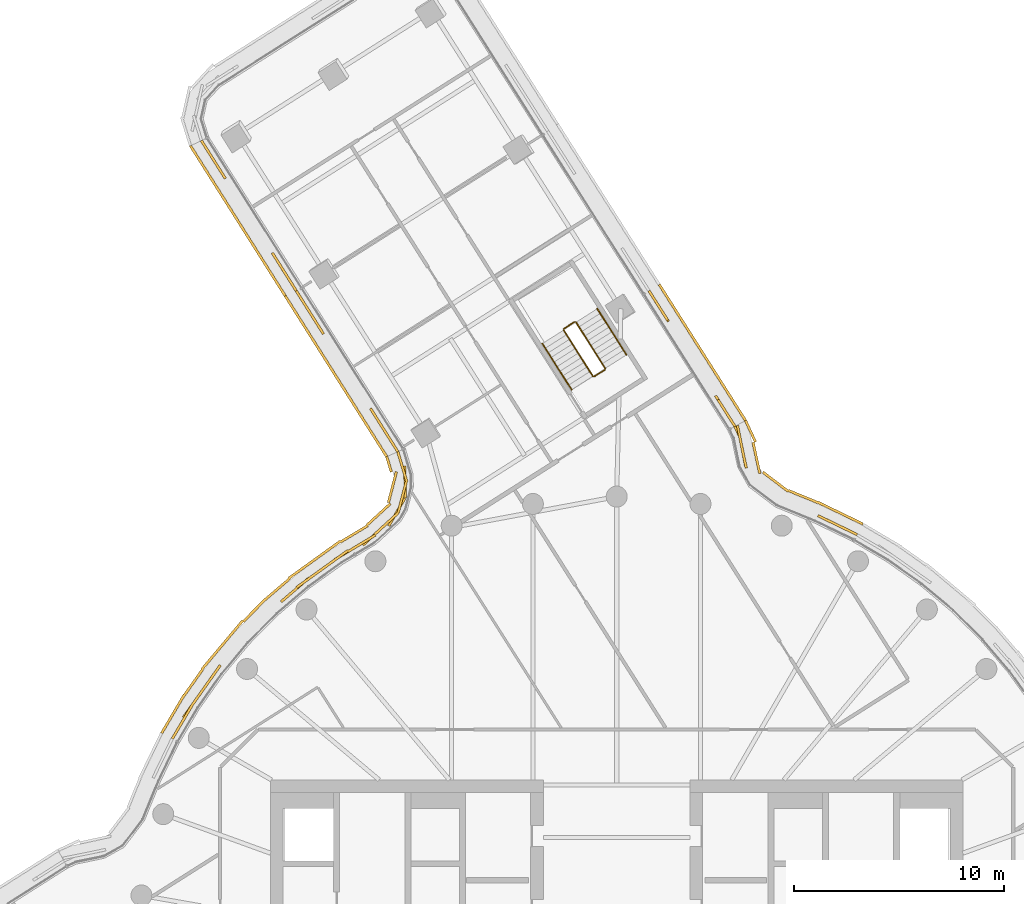
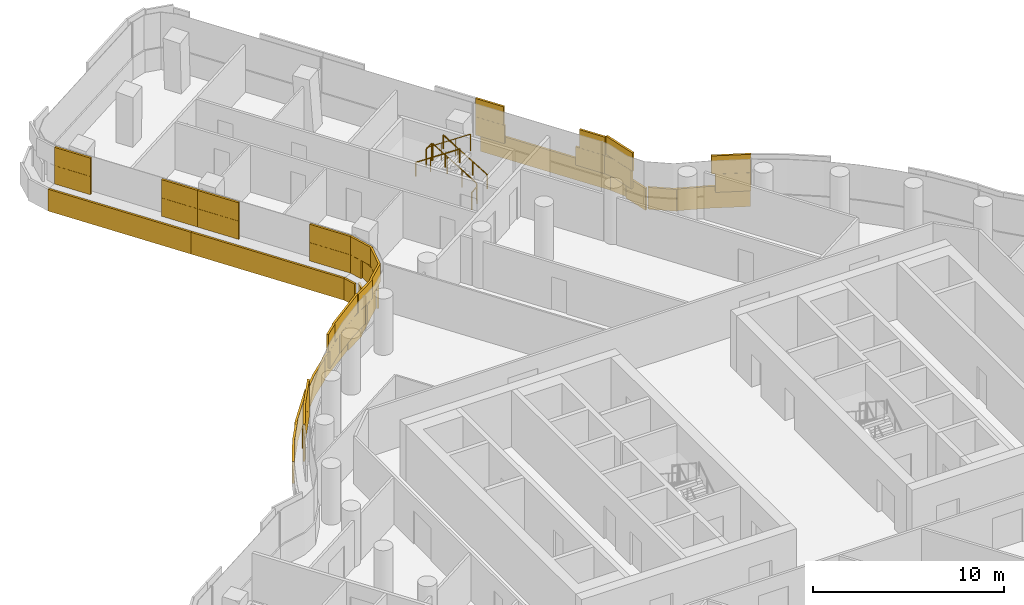
# One storey, part 35 of 36: 6 railings, 5 coverings.
"""IFC4 building model written with IfcOpenShell, lengths in metres."""

import ifcopenshell
import ifcopenshell.guid

model = None  # the IFC model being written
_history = None  # IfcOwnerHistory: only IFC2X3 demands one
_inside = {}  # id of a spatial element -> (the spatial element, [elements in it])
_under = {}  # id of a project, library or spatial element -> (it, [spatial elements below it])
_declared = {}  # id of a project -> (the project, [libraries it declares])
_typed = {}  # id of a type object -> (the type object, [elements of that type])
_made_of = {}  # id of a material, layer set ... -> (it, [elements and type objects made of it])


def new_model(schema):
    """Start an empty IFC model of exactly this schema.

    Asked for "IFC4X3", IfcOpenShell would pick the latest addendum, in which some entities
    have other attributes; the version numbers below select the first issue.
    IFC2X3 requires an IfcOwnerHistory on every rooted entity: one is made here for all.
    """
    global model, _history
    if schema == "IFC4X3":
        model = ifcopenshell.file(schema_version=(4, 3, 0, 0))
    else:
        model = ifcopenshell.file(schema=schema)
    _inside.clear()
    _under.clear()
    _declared.clear()
    _typed.clear()
    _made_of.clear()
    _history = None
    if model.schema == "IFC2X3":
        org = make("IfcOrganization", Name="unknown")
        user = make(
            "IfcPersonAndOrganization",
            ThePerson=make("IfcPerson", FamilyName="unknown"),
            TheOrganization=org,
        )
        app = make(
            "IfcApplication",
            ApplicationDeveloper=org,
            Version="unknown",
            ApplicationFullName="unknown",
            ApplicationIdentifier="unknown",
        )
        _history = make(
            "IfcOwnerHistory",
            OwningUser=user,
            OwningApplication=app,
            ChangeAction="ADDED",
            CreationDate=0,
        )
    return model


def make(cls, **values):
    """One entity of the class cls with the attributes given. An attribute that is None is left unset."""
    return model.create_entity(
        cls, **{name: value for name, value in values.items() if value is not None}
    )


def rooted(cls, **values):
    """An entity with a GlobalId (a new one), such as an element, a storey or a relation."""
    return make(cls, GlobalId=ifcopenshell.guid.new(), OwnerHistory=_history, **values)


def si_unit(unit_type, name, prefix=None):
    """IfcSIUnit, for example si_unit("LENGTHUNIT", "METRE", prefix="MILLI")."""
    return make("IfcSIUnit", UnitType=unit_type, Prefix=prefix, Name=name)


def assignment(units):
    """IfcUnitAssignment: the units of a project."""
    return None if units is None else make("IfcUnitAssignment", Units=units)


def point(xyz):
    """IfcCartesianPoint."""
    return None if xyz is None else make("IfcCartesianPoint", Coordinates=xyz)


def direction(xyz):
    """IfcDirection."""
    return None if xyz is None else make("IfcDirection", DirectionRatios=xyz)


def frame(location, z_axis=None, x_axis=None):
    """IfcAxis2Placement3D, a coordinate frame: its origin and axes. An axis left out is left unset."""
    return make(
        "IfcAxis2Placement3D",
        Location=point(location),
        Axis=direction(z_axis),
        RefDirection=direction(x_axis),
    )


def frame_2d(location, x_axis=None):
    """IfcAxis2Placement2D, a coordinate frame in the plane: its origin and x axis."""
    return make(
        "IfcAxis2Placement2D", Location=point(location), RefDirection=direction(x_axis)
    )


def origin():
    """The frame at (0, 0, 0) with its axes left unset."""
    return frame((0.0, 0.0, 0.0))


def origin_2d():
    """The frame at (0, 0) in the plane with its x axis left unset."""
    return frame_2d((0.0, 0.0))


def place(relative_to, where):
    """IfcLocalPlacement: puts the frame where relative to a parent placement (None: the world)."""
    return make(
        "IfcLocalPlacement", PlacementRelTo=relative_to, RelativePlacement=where
    )


def context(
    kind, dimensions, precision=None, world=None, true_north=None, identifier=None
):
    """IfcGeometricRepresentationContext, for example the 3D "Model" context."""
    return make(
        "IfcGeometricRepresentationContext",
        ContextIdentifier=identifier,
        ContextType=kind,
        CoordinateSpaceDimension=dimensions,
        Precision=precision,
        WorldCoordinateSystem=world,
        TrueNorth=true_north,
    )


def subcontext(parent, identifier, kind, view, scale=None):
    """IfcGeometricRepresentationSubContext, for example "Body" below "Model"."""
    return make(
        "IfcGeometricRepresentationSubContext",
        ContextIdentifier=identifier,
        ContextType=kind,
        ParentContext=parent,
        TargetScale=scale,
        TargetView=view,
    )


def project(units=None, contexts=None):
    """IfcProject with its units and contexts."""
    return rooted(
        "IfcProject",
        Name="project",
        RepresentationContexts=contexts,
        UnitsInContext=assignment(units),
    )


def spatial(cls, under=None, at=None, **own):
    """A site, building, storey or space (cls), placed at a placement, below another one or the project."""
    s = rooted(cls, ObjectPlacement=at, **own)
    if under is not None:
        _under.setdefault(under.id(), (under, []))[1].append(s)
    return s


def profile(cls, at=None, kind="AREA", **sizes):
    """A parametric profile (cls). Its sizes go by their IFC names, for example OverallWidth=200.0."""
    return make(cls, ProfileType=kind, Position=at, **sizes)


def rectangle(**sizes):
    """IfcRectangleProfileDef."""
    return profile("IfcRectangleProfileDef", **sizes)


def circle(**sizes):
    """IfcCircleProfileDef."""
    return profile("IfcCircleProfileDef", **sizes)


def extrude(swept, where, along, depth):
    """IfcExtrudedAreaSolid: the profile swept, set in the frame where, extruded along a direction by depth."""
    return make(
        "IfcExtrudedAreaSolid",
        SweptArea=swept,
        Position=where,
        ExtrudedDirection=direction(along),
        Depth=depth,
    )


def shape(context_of_items, identifier, shape_type, items):
    """IfcShapeRepresentation: the items that make up one representation, for example the "Body"."""
    return make(
        "IfcShapeRepresentation",
        ContextOfItems=context_of_items,
        RepresentationIdentifier=identifier,
        RepresentationType=shape_type,
        Items=items,
    )


def material(Name=None, Category=None):
    """IfcMaterial."""
    return make("IfcMaterial", Name=Name, Category=Category)


def layer(
    of_material, thickness, ventilated=None, Name=None, Category=None, Priority=None
):
    """IfcMaterialLayer: one layer of a wall or slab, of a material (None: an air gap)."""
    return make(
        "IfcMaterialLayer",
        Material=of_material,
        LayerThickness=thickness,
        IsVentilated=ventilated,
        Name=Name,
        Category=Category,
        Priority=Priority,
    )


def layer_set(layers, Name=None):
    """IfcMaterialLayerSet."""
    return make("IfcMaterialLayerSet", MaterialLayers=layers, LayerSetName=Name)


def made_of(thing, what):
    """Note that an element or type object is made of a material, layer set ...; save() writes the relation."""
    if what is not None:
        _made_of.setdefault(what.id(), (what, []))[1].append(thing)
    return thing


def type_object(cls, material=None, **own):
    """A type object (cls), such as IfcWallType, which elements share."""
    return made_of(rooted(cls, **own), material)


def element(
    cls,
    number,
    at=None,
    inside=None,
    cuts=None,
    type_object=None,
    material=None,
    context=None,
    identifier="Body",
    shape_type=None,
    held_by="IfcProductDefinitionShape",
    body=None,
    shapes=None,
    **own,
):
    """One element of the class cls, such as IfcWall. Its Tag is "e" and its number.

    at: its placement. inside: the storey or other place that contains it. cuts: it is an
    opening in that element (IfcRelVoidsElement). A single representation is given by context,
    identifier, shape_type and body (its items); several are given by shapes. held_by: the class
    of the entity that holds the representations. save() writes the other relations.
    """
    e = rooted(cls, Tag="e%d" % number, ObjectPlacement=at, **own)
    if body is not None:
        shapes = [shape(context, identifier, shape_type, body)]
    if shapes is not None:
        e.Representation = make(held_by, Representations=shapes)
    if inside is not None:
        _inside.setdefault(inside.id(), (inside, []))[1].append(e)
    if cuts is not None:
        rooted(
            "IfcRelVoidsElement", RelatingBuildingElement=cuts, RelatedOpeningElement=e
        )
    if type_object is not None:
        _typed.setdefault(type_object.id(), (type_object, []))[1].append(e)
    return made_of(e, material)


def aggregate(whole, parts):
    """IfcRelAggregates: a whole, such as a stair, and the parts it consists of."""
    return rooted("IfcRelAggregates", RelatingObject=whole, RelatedObjects=parts)


def save(model, path):
    """Write the relations noted so far, then the file.

    IfcRelAggregates (storeys below a building ...), IfcRelContainedInSpatialStructure (elements
    in a storey), IfcRelDefinesByType, IfcRelAssociatesMaterial and IfcRelDeclares: one each for
    every whole, place, type object, material and project.
    """
    for whole, parts in _under.values():
        aggregate(whole, parts)
    for where, things in _inside.values():
        rooted(
            "IfcRelContainedInSpatialStructure",
            RelatedElements=things,
            RelatingStructure=where,
        )
    for kind, things in _typed.values():
        rooted("IfcRelDefinesByType", RelatedObjects=things, RelatingType=kind)
    for what, things in _made_of.values():
        rooted("IfcRelAssociatesMaterial", RelatedObjects=things, RelatingMaterial=what)
    for by, libraries in _declared.values():
        rooted("IfcRelDeclares", RelatingContext=by, RelatedDefinitions=libraries)
    model.write(path)


model = new_model("IFC4")

# Units and contexts
model_context = context("Model", 3, precision=1e-05, world=origin(), true_north=direction((0.0, 1.0)))
body_context = subcontext(model_context, "Body", "Model", "MODEL_VIEW")
ifc_project = project(units=[si_unit("LENGTHUNIT", "METRE"), si_unit("AREAUNIT", "SQUARE_METRE"), si_unit("VOLUMEUNIT", "CUBIC_METRE"), si_unit("PLANEANGLEUNIT", "RADIAN"), si_unit("MASSUNIT", "GRAM", prefix="KILO")], contexts=[model_context])

# Site, building, storey
site_placement = place(None, origin())
site = spatial("IfcSite", under=ifc_project, at=site_placement, CompositionType="ELEMENT")
building_placement = place(site_placement, origin())
building = spatial("IfcBuilding", under=site, at=building_placement, Name="Tamarind Cross Interchange Tower", CompositionType="ELEMENT")
storey_placement = place(building_placement, frame((0.0, 0.0, 151.75)))
storey = spatial("IfcBuildingStorey", under=building, at=storey_placement, Name="L37", CompositionType="ELEMENT", Elevation=151.75)

# Railings
ifc_material_1 = material(Name="Stair guard")
railing_type_1 = type_object("IfcRailingType", Name="Stair guard", PredefinedType="GUARDRAIL", material=ifc_material_1)
railing_1_placement = place(storey_placement, frame((-0.5458984375, 29.114501953125, 0.17041015625)))
element("IfcRailing", 1, at=railing_1_placement, inside=storey, type_object=railing_type_1, Name="L37 ST4 stair guard 1", PredefinedType="GUARDRAIL", context=body_context, shape_type="SweptSolid", body=[
    extrude(circle(Radius=0.02392578125, at=origin_2d()), frame((0.0, 0.0, 1.076171875), z_axis=(-0.447955039885, 0.706173162455, 0.548320843001), x_axis=(-0.844433984543, -0.535659636102, 0.0)), (0.0, 0.0, 1.0), 3.108642578125),
    extrude(circle(Radius=0.02099609375, at=origin_2d()), origin(), (0.0, 0.0, 1.0), 1.052001953125),
    extrude(circle(Radius=0.02099609375, at=origin_2d()), frame((-0.464111328125, 0.731689453125, 0.568115234375)), (0.0, 0.0, 1.0), 1.052001953125),
    extrude(circle(Radius=0.02099609375, at=origin_2d()), frame((-0.928466796875, 1.463623046875, 1.136474609375)), (0.0, 0.0, 1.0), 1.052001953125),
    extrude(circle(Radius=0.02099609375, at=origin_2d()), frame((-1.392578125, 2.1953125, 1.70458984375)), (0.0, 0.0, 1.0), 1.052001953125),
])
railing_2_placement = place(storey_placement, frame((-2.007568359375, 31.325439453125, 1.875)))
element("IfcRailing", 2, at=railing_2_placement, inside=storey, type_object=railing_type_1, Name="L37 ST4 stair guard 2", PredefinedType="GUARDRAIL", context=body_context, shape_type="SweptSolid", body=[
    extrude(circle(Radius=0.02392578125, at=origin_2d()), frame((0.0, 0.0, 1.076171875), z_axis=(-0.844297558304, -0.53587464303, 0.0), x_axis=(0.53587464303, -0.844297558304, 0.0)), (0.0, 0.0, 1.0), 0.60009765625),
    extrude(circle(Radius=0.02099609375, at=origin_2d()), origin(), (0.0, 0.0, 1.0), 1.052001953125),
    extrude(circle(Radius=0.02099609375, at=origin_2d()), frame((-0.506591796875, -0.321533203125, 0.0)), (0.0, 0.0, 1.0), 1.052001953125),
])
railing_3_placement = place(storey_placement, frame((-2.529541015625, 30.93505859375, 2.04541015625)))
element("IfcRailing", 3, at=railing_3_placement, inside=storey, type_object=railing_type_1, Name="L37 ST4 stair guard 3", PredefinedType="GUARDRAIL", context=body_context, shape_type="SweptSolid", body=[
    extrude(circle(Radius=0.02392578125, at=origin_2d()), frame((0.0, 0.0, 1.076171875), z_axis=(0.44793019777, -0.706212529549, 0.548290434928), x_axis=(0.8444609269, 0.535617160796, 0.0)), (0.0, 0.0, 1.0), 3.10888671875),
    extrude(circle(Radius=0.02099609375, at=origin_2d()), origin(), (0.0, 0.0, 1.0), 1.052001953125),
    extrude(circle(Radius=0.02099609375, at=origin_2d()), frame((0.464111328125, -0.73193359375, 0.568115234375)), (0.0, 0.0, 1.0), 1.052001953125),
    extrude(circle(Radius=0.02099609375, at=origin_2d()), frame((0.928466796875, -1.463623046875, 1.136474609375)), (0.0, 0.0, 1.0), 1.052001953125),
    extrude(circle(Radius=0.02099609375, at=origin_2d()), frame((1.392578125, -2.195556640625, 1.70458984375)), (0.0, 0.0, 1.0), 1.052001953125),
])
railing_4_placement = place(storey_placement, frame((-0.561279296875, 29.04541015625, 0.0)))
element("IfcRailing", 4, at=railing_4_placement, inside=storey, type_object=railing_type_1, Name="L37 ST4 stair guard 4", PredefinedType="GUARDRAIL", context=body_context, shape_type="SweptSolid", body=[
    extrude(circle(Radius=0.02392578125, at=origin_2d()), frame((0.0, 0.0, 1.076171875), z_axis=(-0.844297558304, -0.53587464303, 0.0), x_axis=(0.53587464303, -0.844297558304, 0.0)), (0.0, 0.0, 1.0), 0.60009765625),
    extrude(circle(Radius=0.02099609375, at=origin_2d()), origin(), (0.0, 0.0, 1.0), 1.052001953125),
    extrude(circle(Radius=0.02099609375, at=origin_2d()), frame((-0.506591796875, -0.321533203125, 0.0)), (0.0, 0.0, 1.0), 1.052001953125),
])
ifc_material_2 = material(Name="Stair handrail")
railing_type_2 = type_object("IfcRailingType", Name="Stair handrail", PredefinedType="HANDRAIL", material=ifc_material_2)
railing_5_placement = place(storey_placement, frame((0.467529296875, 29.757080078125, 0.17041015625)))
element("IfcRailing", 5, at=railing_5_placement, inside=storey, type_object=railing_type_2, Name="L37 ST4 stair handrail 1", PredefinedType="HANDRAIL", context=body_context, shape_type="SweptSolid", body=[
    extrude(circle(Radius=0.02392578125, at=origin_2d()), frame((0.0, 0.0, 0.8759765625), z_axis=(-0.447992967394, 0.706187687253, 0.548271147826), x_axis=(-0.844418453766, -0.535684118618, 0.0)), (0.0, 0.0, 1.0), 3.109130859375),
    extrude(circle(Radius=0.02099609375, at=origin_2d()), origin(), (0.0, 0.0, 1.0), 0.851806640625),
    extrude(circle(Radius=0.02099609375, at=origin_2d()), frame((-0.46435546875, 0.73193359375, 0.568115234375)), (0.0, 0.0, 1.0), 0.851806640625),
    extrude(circle(Radius=0.02099609375, at=origin_2d()), frame((-0.928466796875, 1.463623046875, 1.136474609375)), (0.0, 0.0, 1.0), 0.851806640625),
    extrude(circle(Radius=0.02099609375, at=origin_2d()), frame((-1.392822265625, 2.195556640625, 1.70458984375)), (0.0, 0.0, 1.0), 0.851806640625),
])
railing_6_placement = place(storey_placement, frame((-3.54296875, 30.292236328125, 2.04541015625)))
element("IfcRailing", 6, at=railing_6_placement, inside=storey, type_object=railing_type_2, Name="L37 ST4 stair handrail 2", PredefinedType="HANDRAIL", context=body_context, shape_type="SweptSolid", body=[
    extrude(circle(Radius=0.02392578125, at=origin_2d()), frame((0.0, 0.0, 0.8759765625), z_axis=(0.447992967394, -0.706187687253, 0.548271147826), x_axis=(0.844418453766, 0.535684118618, 0.0)), (0.0, 0.0, 1.0), 3.109130859375),
    extrude(circle(Radius=0.02099609375, at=origin_2d()), origin(), (0.0, 0.0, 1.0), 0.851806640625),
    extrude(circle(Radius=0.02099609375, at=origin_2d()), frame((0.46435546875, -0.73193359375, 0.568115234375)), (0.0, 0.0, 1.0), 0.851806640625),
    extrude(circle(Radius=0.02099609375, at=origin_2d()), frame((0.928466796875, -1.463623046875, 1.136474609375)), (0.0, 0.0, 1.0), 0.851806640625),
    extrude(circle(Radius=0.02099609375, at=origin_2d()), frame((1.392822265625, -2.195556640625, 1.70458984375)), (0.0, 0.0, 1.0), 0.851806640625),
])

# Coverings
ifc_material_3 = material(Name="Terracotta", Category="masonry")
ifc_layer = layer(ifc_material_3, 0.1201171875)
ifc_layer_set = layer_set([ifc_layer], Name="Terracotta")
covering_type = type_object("IfcCoveringType", Name="Terracotta baguette screen unit", PredefinedType="MOLDING", material=ifc_layer_set)
covering_1_placement = place(storey_placement, origin())
element("IfcCovering", 7, at=covering_1_placement, inside=storey, type_object=covering_type, Name="SCR-L37-01-00", PredefinedType="MOLDING", context=body_context, shape_type="SweptSolid", body=[
    extrude(rectangle(XDim=0.760009765625, YDim=0.1201171875, at=origin_2d()), frame((-19.591796875, 39.6474609375, 1.404052734375), z_axis=(0.0, 0.0, 1.0), x_axis=(0.533880613265, -0.845559868241, 0.0)), (0.0, 0.0, 1.0), 1.1669921875),
    extrude(rectangle(XDim=1.3896484375, YDim=0.1201171875, at=origin_2d()), frame((-19.023193359375, 38.7470703125, 1.404052734375), z_axis=(0.0, 0.0, 1.0), x_axis=(0.533880613265, -0.845559868241, 0.0)), (0.0, 0.0, 1.0), 1.1669921875),
    extrude(rectangle(XDim=0.43017578125, YDim=0.1201171875, at=origin_2d()), frame((-16.30029296875, 34.434814453125, 1.404052734375), z_axis=(0.0, 0.0, 1.0), x_axis=(0.533880613265, -0.845559868241, 0.0)), (0.0, 0.0, 1.0), 1.1669921875),
    extrude(rectangle(XDim=1.52001953125, YDim=0.1201171875, at=origin_2d()), frame((-15.787841796875, 33.622802734375, 1.404052734375), z_axis=(0.0, 0.0, 1.0), x_axis=(0.533880613265, -0.845559868241, 0.0)), (0.0, 0.0, 1.0), 1.1669921875),
    extrude(rectangle(XDim=0.219482421875, YDim=0.1201171875, at=origin_2d()), frame((-15.33154296875, 32.900146484375, 1.404052734375), z_axis=(0.0, 0.0, 1.0), x_axis=(0.533880613265, -0.845559868241, 0.0)), (0.0, 0.0, 1.0), 1.1669921875),
    extrude(rectangle(XDim=1.510009765625, YDim=0.1201171875, at=origin_2d()), frame((-19.3916015625, 39.330322265625, 2.5791015625), z_axis=(0.0, 0.0, 1.0), x_axis=(0.533880613265, -0.845559868241, 0.0)), (0.0, 0.0, 1.0), 1.1669921875),
    extrude(rectangle(XDim=0.6396484375, YDim=0.1201171875, at=origin_2d()), frame((-18.822998046875, 38.429931640625, 2.5791015625), z_axis=(0.0, 0.0, 1.0), x_axis=(0.533880613265, -0.845559868241, 0.0)), (0.0, 0.0, 1.0), 1.1669921875),
    extrude(rectangle(XDim=1.18017578125, YDim=0.1201171875, at=origin_2d()), frame((-16.10009765625, 34.11767578125, 2.5791015625), z_axis=(0.0, 0.0, 1.0), x_axis=(0.533880613265, -0.845559868241, 0.0)), (0.0, 0.0, 1.0), 1.1669921875),
    extrude(rectangle(XDim=0.969482421875, YDim=0.1201171875, at=origin_2d()), frame((-15.53173828125, 33.21728515625, 2.5791015625), z_axis=(0.0, 0.0, 1.0), x_axis=(0.533880613265, -0.845559868241, 0.0)), (0.0, 0.0, 1.0), 1.1669921875),
    extrude(rectangle(XDim=0.760009765625, YDim=0.1201171875, at=origin_2d()), frame((-20.114501953125, 39.400146484375, 0.00390625), z_axis=(0.0, 0.0, 1.0), x_axis=(0.533880613265, -0.845559868241, 0.0)), (0.0, 0.0, 1.0), 1.39208984375),
    extrude(rectangle(XDim=1.52001953125, YDim=0.1201171875, at=origin_2d()), frame((-19.516357421875, 38.453125, 0.00390625), z_axis=(0.0, 0.0, 1.0), x_axis=(0.533880613265, -0.845559868241, 0.0)), (0.0, 0.0, 1.0), 1.39208984375),
    extrude(rectangle(XDim=1.52001953125, YDim=0.1201171875, at=origin_2d()), frame((-18.715576171875, 37.184814453125, 0.00390625), z_axis=(0.0, 0.0, 1.0), x_axis=(0.533880613265, -0.845559868241, 0.0)), (0.0, 0.0, 1.0), 1.39208984375),
    extrude(rectangle(XDim=1.52001953125, YDim=0.1201171875, at=origin_2d()), frame((-17.914794921875, 35.91650390625, 0.00390625), z_axis=(0.0, 0.0, 1.0), x_axis=(0.533880613265, -0.845559868241, 0.0)), (0.0, 0.0, 1.0), 1.39208984375),
    extrude(rectangle(XDim=1.52001953125, YDim=0.1201171875, at=origin_2d()), frame((-17.114013671875, 34.648193359375, 0.00390625), z_axis=(0.0, 0.0, 1.0), x_axis=(0.533880613265, -0.845559868241, 0.0)), (0.0, 0.0, 1.0), 1.39208984375),
    extrude(rectangle(XDim=1.52001953125, YDim=0.1201171875, at=origin_2d()), frame((-16.313232421875, 33.3798828125, 0.00390625), z_axis=(0.0, 0.0, 1.0), x_axis=(0.533880613265, -0.845559868241, 0.0)), (0.0, 0.0, 1.0), 1.39208984375),
    extrude(rectangle(XDim=0.2177734375, YDim=0.1201171875, at=origin_2d()), frame((-15.85986328125, 32.662109375, 0.00390625), z_axis=(0.0, 0.0, 1.0), x_axis=(0.533880613265, -0.845559868241, 0.0)), (0.0, 0.0, 1.0), 1.39208984375),
])
covering_2_placement = place(storey_placement, origin())
element("IfcCovering", 8, at=covering_2_placement, inside=storey, type_object=covering_type, Name="SCR-L37-01-01", PredefinedType="MOLDING", context=body_context, shape_type="SweptSolid", body=[
    extrude(rectangle(XDim=1.300537109375, YDim=0.1201171875, at=origin_2d()), frame((-14.93115234375, 32.26611328125, 1.404052734375), z_axis=(0.0, 0.0, 1.0), x_axis=(0.533880613265, -0.845559868241, 0.0)), (0.0, 0.0, 1.0), 1.1669921875),
    extrude(rectangle(XDim=1.15478515625, YDim=0.1201171875, at=origin_2d()), frame((-14.281005859375, 31.236328125, 1.404052734375), z_axis=(0.0, 0.0, 1.0), x_axis=(0.533880613265, -0.845559868241, 0.0)), (0.0, 0.0, 1.0), 1.1669921875),
    extrude(rectangle(XDim=0.665283203125, YDim=0.1201171875, at=origin_2d()), frame((-11.55810546875, 26.924072265625, 1.404052734375), z_axis=(0.0, 0.0, 1.0), x_axis=(0.533880613265, -0.845559868241, 0.0)), (0.0, 0.0, 1.0), 1.1669921875),
    extrude(rectangle(XDim=1.52001953125, YDim=0.1201171875, at=origin_2d()), frame((-10.98291015625, 26.012939453125, 1.404052734375), z_axis=(0.0, 0.0, 1.0), x_axis=(0.533880613265, -0.845559868241, 0.0)), (0.0, 0.0, 1.0), 1.1669921875),
    extrude(rectangle(XDim=0.2900390625, YDim=0.1201171875, at=origin_2d()), frame((-10.5078125, 25.26025390625, 1.404052734375), z_axis=(0.0, 0.0, 1.0), x_axis=(0.533880613265, -0.845559868241, 0.0)), (0.0, 0.0, 1.0), 1.1669921875),
    extrude(rectangle(XDim=0.550537109375, YDim=0.1201171875, at=origin_2d()), frame((-15.13134765625, 32.5830078125, 2.5791015625), z_axis=(0.0, 0.0, 1.0), x_axis=(0.533880613265, -0.845559868241, 0.0)), (0.0, 0.0, 1.0), 1.1669921875),
    extrude(rectangle(XDim=1.52001953125, YDim=0.1201171875, at=origin_2d()), frame((-14.586669921875, 31.720458984375, 2.5791015625), z_axis=(0.0, 0.0, 1.0), x_axis=(0.533880613265, -0.845559868241, 0.0)), (0.0, 0.0, 1.0), 1.1669921875),
    extrude(rectangle(XDim=0.40478515625, YDim=0.1201171875, at=origin_2d()), frame((-14.080810546875, 30.91943359375, 2.5791015625), z_axis=(0.0, 0.0, 1.0), x_axis=(0.533880613265, -0.845559868241, 0.0)), (0.0, 0.0, 1.0), 1.1669921875),
    extrude(rectangle(XDim=1.415283203125, YDim=0.1201171875, at=origin_2d()), frame((-11.35791015625, 26.60693359375, 2.5791015625), z_axis=(0.0, 0.0, 1.0), x_axis=(0.533880613265, -0.845559868241, 0.0)), (0.0, 0.0, 1.0), 1.1669921875),
    extrude(rectangle(XDim=1.0400390625, YDim=0.1201171875, at=origin_2d()), frame((-10.7080078125, 25.577392578125, 2.5791015625), z_axis=(0.0, 0.0, 1.0), x_axis=(0.533880613265, -0.845559868241, 0.0)), (0.0, 0.0, 1.0), 1.1669921875),
    extrude(rectangle(XDim=1.30224609375, YDim=0.1201171875, at=origin_2d()), frame((-15.4541015625, 32.01953125, 0.00390625), z_axis=(0.0, 0.0, 1.0), x_axis=(0.533880613265, -0.845559868241, 0.0)), (0.0, 0.0, 1.0), 1.39208984375),
    extrude(rectangle(XDim=1.52001953125, YDim=0.1201171875, at=origin_2d()), frame((-14.71142578125, 30.84326171875, 0.00390625), z_axis=(0.0, 0.0, 1.0), x_axis=(0.533880613265, -0.845559868241, 0.0)), (0.0, 0.0, 1.0), 1.39208984375),
    extrude(rectangle(XDim=1.52001953125, YDim=0.1201171875, at=origin_2d()), frame((-13.91064453125, 29.57470703125, 0.00390625), z_axis=(0.0, 0.0, 1.0), x_axis=(0.533880613265, -0.845559868241, 0.0)), (0.0, 0.0, 1.0), 1.39208984375),
    extrude(rectangle(XDim=1.52001953125, YDim=0.1201171875, at=origin_2d()), frame((-13.10986328125, 28.306396484375, 0.00390625), z_axis=(0.0, 0.0, 1.0), x_axis=(0.533880613265, -0.845559868241, 0.0)), (0.0, 0.0, 1.0), 1.39208984375),
    extrude(rectangle(XDim=1.52001953125, YDim=0.1201171875, at=origin_2d()), frame((-12.30908203125, 27.0380859375, 0.00390625), z_axis=(0.0, 0.0, 1.0), x_axis=(0.533880613265, -0.845559868241, 0.0)), (0.0, 0.0, 1.0), 1.39208984375),
    extrude(rectangle(XDim=1.52001953125, YDim=0.1201171875, at=origin_2d()), frame((-11.50830078125, 25.769775390625, 0.00390625), z_axis=(0.0, 0.0, 1.0), x_axis=(0.533880613265, -0.845559868241, 0.0)), (0.0, 0.0, 1.0), 1.39208984375),
    extrude(rectangle(XDim=0.28662109375, YDim=0.1201171875, at=origin_2d()), frame((-11.03662109375, 25.02294921875, 0.00390625), z_axis=(0.0, 0.0, 1.0), x_axis=(0.533880613265, -0.845559868241, 0.0)), (0.0, 0.0, 1.0), 1.39208984375),
])
covering_3_placement = place(storey_placement, origin())
element("IfcCovering", 9, at=covering_3_placement, inside=storey, type_object=covering_type, Name="SCR-L37-02-00", PredefinedType="MOLDING", context=body_context, shape_type="SweptSolid", body=[
    extrude(rectangle(XDim=0.760009765625, YDim=0.1201171875, at=origin_2d()), frame((-10.324951171875, 24.78271484375, 1.404052734375), z_axis=(0.0, 0.0, 1.0), x_axis=(0.28782035515, -0.957684417312, 0.0)), (0.0, 0.0, 1.0), 1.1669921875),
    extrude(rectangle(XDim=1.52001953125, YDim=0.1201171875, at=origin_2d()), frame((-10.08642578125, 23.692138671875, 1.404052734375), z_axis=(0.0, 0.0, 1.0), x_axis=(0.018607932669, -0.999826857432, 0.0)), (0.0, 0.0, 1.0), 1.1669921875),
    extrude(rectangle(XDim=1.52001953125, YDim=0.1201171875, at=origin_2d()), frame((-10.48095703125, 22.26220703125, 1.404052734375), z_axis=(0.0, 0.0, 1.0), x_axis=(-0.503869936275, -0.863779536293, 0.0)), (0.0, 0.0, 1.0), 1.1669921875),
    extrude(rectangle(XDim=1.52001953125, YDim=0.1201171875, at=origin_2d()), frame((-11.53076171875, 21.203369140625, 1.404052734375), z_axis=(0.0, 0.0, 1.0), x_axis=(-0.736579190385, -0.676351311296, 0.0)), (0.0, 0.0, 1.0), 1.1669921875),
    extrude(rectangle(XDim=1.52001953125, YDim=0.1201171875, at=origin_2d()), frame((-12.78759765625, 20.391845703125, 1.404052734375), z_axis=(0.0, 0.0, 1.0), x_axis=(-0.856648360472, -0.515900752568, 0.0)), (0.0, 0.0, 1.0), 1.1669921875),
    extrude(rectangle(XDim=1.52001953125, YDim=0.1201171875, at=origin_2d()), frame((-14.029541015625, 19.552978515625, 1.404052734375), z_axis=(0.0, 0.0, 1.0), x_axis=(-0.811340475102, -0.584573890505, 0.0)), (0.0, 0.0, 1.0), 1.1669921875),
    extrude(rectangle(XDim=1.52001953125, YDim=0.1201171875, at=origin_2d()), frame((-15.223388671875, 18.646240234375, 1.404052734375), z_axis=(0.0, 0.0, 1.0), x_axis=(-0.760295606781, -0.64957723968, 0.0)), (0.0, 0.0, 1.0), 1.1669921875),
    extrude(rectangle(XDim=1.52001953125, YDim=0.1201171875, at=origin_2d()), frame((-19.35107421875, 14.31591796875, 1.404052734375), z_axis=(0.0, 0.0, 1.0), x_axis=(-0.577568978284, -0.816341886298, 0.0)), (0.0, 0.0, 1.0), 1.1669921875),
    extrude(rectangle(XDim=1.52001953125, YDim=0.1201171875, at=origin_2d()), frame((-20.21728515625, 13.09130859375, 1.404052734375), z_axis=(0.0, 0.0, 1.0), x_axis=(-0.577568978284, -0.816341886298, 0.0)), (0.0, 0.0, 1.0), 1.1669921875),
    extrude(rectangle(XDim=1.158203125, YDim=0.1201171875, at=origin_2d()), frame((-20.890625, 11.951416015625, 1.404052734375), z_axis=(0.0, 0.0, 1.0), x_axis=(-0.508183308752, -0.861248933065, 0.0)), (0.0, 0.0, 1.0), 1.1669921875),
    extrude(rectangle(XDim=1.510009765625, YDim=0.1201171875, at=origin_2d()), frame((-10.217041015625, 24.423583984375, 2.5791015625), z_axis=(0.0, 0.0, 1.0), x_axis=(0.28782035515, -0.957684417312, 0.0)), (0.0, 0.0, 1.0), 1.1669921875),
    extrude(rectangle(XDim=1.52001953125, YDim=0.1201171875, at=origin_2d()), frame((-10.224609375, 22.960205078125, 2.5791015625), z_axis=(0.0, 0.0, 1.0), x_axis=(-0.251986153257, -0.967730839938, 0.0)), (0.0, 0.0, 1.0), 1.1669921875),
    extrude(rectangle(XDim=1.52001953125, YDim=0.1201171875, at=origin_2d()), frame((-10.978271484375, 21.71044921875, 2.5791015625), z_axis=(0.0, 0.0, 1.0), x_axis=(-0.736579190385, -0.676351311296, 0.0)), (0.0, 0.0, 1.0), 1.1669921875),
    extrude(rectangle(XDim=1.52001953125, YDim=0.1201171875, at=origin_2d()), frame((-12.14501953125, 20.77880859375, 2.5791015625), z_axis=(0.0, 0.0, 1.0), x_axis=(-0.856648360472, -0.515900752568, 0.0)), (0.0, 0.0, 1.0), 1.1669921875),
    extrude(rectangle(XDim=1.52001953125, YDim=0.1201171875, at=origin_2d()), frame((-13.421142578125, 19.991455078125, 2.5791015625), z_axis=(0.0, 0.0, 1.0), x_axis=(-0.811340475102, -0.584573890505, 0.0)), (0.0, 0.0, 1.0), 1.1669921875),
    extrude(rectangle(XDim=1.52001953125, YDim=0.1201171875, at=origin_2d()), frame((-14.63818359375, 19.114501953125, 2.5791015625), z_axis=(0.0, 0.0, 1.0), x_axis=(-0.811340475102, -0.584573890505, 0.0)), (0.0, 0.0, 1.0), 1.1669921875),
    extrude(rectangle(XDim=1.0185546875, YDim=0.1201171875, at=origin_2d()), frame((-15.606689453125, 18.31884765625, 2.5791015625), z_axis=(0.0, 0.0, 1.0), x_axis=(-0.760295606781, -0.64957723968, 0.0)), (0.0, 0.0, 1.0), 1.1669921875),
    extrude(rectangle(XDim=0.801513671875, YDim=0.1201171875, at=origin_2d()), frame((-19.122314453125, 14.638916015625, 2.5791015625), z_axis=(0.0, 0.0, 1.0), x_axis=(-0.577568978284, -0.816341886298, 0.0)), (0.0, 0.0, 1.0), 1.1669921875),
    extrude(rectangle(XDim=1.52001953125, YDim=0.1201171875, at=origin_2d()), frame((-19.7841796875, 13.70361328125, 2.5791015625), z_axis=(0.0, 0.0, 1.0), x_axis=(-0.577568978284, -0.816341886298, 0.0)), (0.0, 0.0, 1.0), 1.1669921875),
    extrude(rectangle(XDim=1.52001953125, YDim=0.1201171875, at=origin_2d()), frame((-20.598876953125, 12.44580078125, 2.5791015625), z_axis=(0.0, 0.0, 1.0), x_axis=(-0.508183308752, -0.861248933065, 0.0)), (0.0, 0.0, 1.0), 1.1669921875),
    extrude(rectangle(XDim=0.408203125, YDim=0.1201171875, at=origin_2d()), frame((-21.0810546875, 11.62841796875, 2.5791015625), z_axis=(0.0, 0.0, 1.0), x_axis=(-0.508183308752, -0.861248933065, 0.0)), (0.0, 0.0, 1.0), 1.1669921875),
    extrude(rectangle(XDim=0.760009765625, YDim=0.1201171875, at=origin_2d()), frame((-10.850830078125, 24.537841796875, 0.00390625), z_axis=(0.0, 0.0, 1.0), x_axis=(0.28782035515, -0.957684417312, 0.0)), (0.0, 0.0, 1.0), 1.39208984375),
    extrude(rectangle(XDim=1.52001953125, YDim=0.1201171875, at=origin_2d()), frame((-10.6904296875, 23.44921875, 0.00390625), z_axis=(0.0, 0.0, 1.0), x_axis=(-0.251986153257, -0.967730839938, 0.0)), (0.0, 0.0, 1.0), 1.39208984375),
    extrude(rectangle(XDim=1.52001953125, YDim=0.1201171875, at=origin_2d()), frame((-11.348388671875, 22.14990234375, 0.00390625), z_axis=(0.0, 0.0, 1.0), x_axis=(-0.736579190385, -0.676351311296, 0.0)), (0.0, 0.0, 1.0), 1.39208984375),
    extrude(rectangle(XDim=1.52001953125, YDim=0.1201171875, at=origin_2d()), frame((-12.519287109375, 21.2236328125, 0.00390625), z_axis=(0.0, 0.0, 1.0), x_axis=(-0.856648360472, -0.515900752568, 0.0)), (0.0, 0.0, 1.0), 1.39208984375),
    extrude(rectangle(XDim=1.52001953125, YDim=0.1201171875, at=origin_2d()), frame((-13.792236328125, 20.431396484375, 0.00390625), z_axis=(0.0, 0.0, 1.0), x_axis=(-0.811340475102, -0.584573890505, 0.0)), (0.0, 0.0, 1.0), 1.39208984375),
    extrude(rectangle(XDim=1.52001953125, YDim=0.1201171875, at=origin_2d()), frame((-15.00927734375, 19.5546875, 0.00390625), z_axis=(0.0, 0.0, 1.0), x_axis=(-0.811340475102, -0.584573890505, 0.0)), (0.0, 0.0, 1.0), 1.39208984375),
    extrude(rectangle(XDim=1.52001953125, YDim=0.1201171875, at=origin_2d()), frame((-16.16357421875, 18.597900390625, 0.00390625), z_axis=(0.0, 0.0, 1.0), x_axis=(-0.760295606781, -0.64957723968, 0.0)), (0.0, 0.0, 1.0), 1.39208984375),
    extrude(rectangle(XDim=1.52001953125, YDim=0.1201171875, at=origin_2d()), frame((-17.26513671875, 17.581787109375, 0.00390625), z_axis=(0.0, 0.0, 1.0), x_axis=(-0.704057148523, -0.710143317658, 0.0)), (0.0, 0.0, 1.0), 1.39208984375),
    extrude(rectangle(XDim=1.52001953125, YDim=0.1201171875, at=origin_2d()), frame((-18.31201171875, 16.50830078125, 0.00390625), z_axis=(0.0, 0.0, 1.0), x_axis=(-0.643009266048, -0.765858396687, 0.0)), (0.0, 0.0, 1.0), 1.39208984375),
    extrude(rectangle(XDim=1.52001953125, YDim=0.1201171875, at=origin_2d()), frame((-19.276611328125, 15.359375, 0.00390625), z_axis=(0.0, 0.0, 1.0), x_axis=(-0.643009266048, -0.765858396687, 0.0)), (0.0, 0.0, 1.0), 1.39208984375),
    extrude(rectangle(XDim=1.52001953125, YDim=0.1201171875, at=origin_2d()), frame((-20.168212890625, 14.154541015625, 0.00390625), z_axis=(0.0, 0.0, 1.0), x_axis=(-0.577568978284, -0.816341886298, 0.0)), (0.0, 0.0, 1.0), 1.39208984375),
    extrude(rectangle(XDim=1.52001953125, YDim=0.1201171875, at=origin_2d()), frame((-20.994873046875, 12.904296875, 0.00390625), z_axis=(0.0, 0.0, 1.0), x_axis=(-0.508183308752, -0.861248933065, 0.0)), (0.0, 0.0, 1.0), 1.39208984375),
    extrude(rectangle(XDim=0.623046875, YDim=0.1201171875, at=origin_2d()), frame((-21.529296875, 11.99853515625, 0.00390625), z_axis=(0.0, 0.0, 1.0), x_axis=(-0.508183308752, -0.861248933065, 0.0)), (0.0, 0.0, 1.0), 1.39208984375),
])
covering_4_placement = place(storey_placement, origin())
element("IfcCovering", 10, at=covering_4_placement, inside=storey, type_object=covering_type, Name="SCR-L37-14-01", PredefinedType="MOLDING", context=body_context, shape_type="SweptSolid", body=[
    extrude(rectangle(XDim=0.36181640625, YDim=0.1201171875, at=origin_2d()), frame((11.30224609375, 21.26611328125, 1.404052734375), z_axis=(0.0, 0.0, 1.0), x_axis=(-0.900272776334, 0.435326231914, 0.0)), (0.0, 0.0, 1.0), 1.1669921875),
    extrude(rectangle(XDim=1.52001953125, YDim=0.1201171875, at=origin_2d()), frame((10.46875, 21.669189453125, 1.404052734375), z_axis=(0.0, 0.0, 1.0), x_axis=(-0.900272776334, 0.435326231914, 0.0)), (0.0, 0.0, 1.0), 1.1669921875),
    extrude(rectangle(XDim=1.52001953125, YDim=0.1201171875, at=origin_2d()), frame((6.00146484375, 25.177978515625, 1.404052734375), z_axis=(0.0, 0.0, 1.0), x_axis=(-0.197123530196, 0.980378658398, 0.0)), (0.0, 0.0, 1.0), 1.1669921875),
    extrude(rectangle(XDim=0.494384765625, YDim=0.1201171875, at=origin_2d()), frame((5.739501953125, 26.129150390625, 1.404052734375), z_axis=(0.0, 0.0, 1.0), x_axis=(-0.420858499194, 0.907126299727, 0.0)), (0.0, 0.0, 1.0), 1.1669921875),
    extrude(rectangle(XDim=1.11181640625, YDim=0.1201171875, at=origin_2d()), frame((10.96484375, 21.42919921875, 2.5791015625), z_axis=(0.0, 0.0, 1.0), x_axis=(-0.900272776334, 0.435326231914, 0.0)), (0.0, 0.0, 1.0), 1.1669921875),
    extrude(rectangle(XDim=0.976318359375, YDim=0.1201171875, at=origin_2d()), frame((10.033935546875, 21.87939453125, 2.5791015625), z_axis=(0.0, 0.0, 1.0), x_axis=(-0.900272776334, 0.435326231914, 0.0)), (0.0, 0.0, 1.0), 1.1669921875),
    extrude(rectangle(XDim=0.84375, YDim=0.1201171875, at=origin_2d()), frame((6.088623046875, 24.7705078125, 2.5791015625), z_axis=(0.0, 0.0, 1.0), x_axis=(-0.211359417255, 0.977408408362, 0.0)), (0.0, 0.0, 1.0), 1.1669921875),
    extrude(rectangle(XDim=1.244384765625, YDim=0.1201171875, at=origin_2d()), frame((5.879638671875, 25.783203125, 2.5791015625), z_axis=(0.0, 0.0, 1.0), x_axis=(-0.197123530196, 0.980378658398, 0.0)), (0.0, 0.0, 1.0), 1.1669921875),
    extrude(rectangle(XDim=0.896728515625, YDim=0.1201171875, at=origin_2d()), frame((11.330322265625, 21.89013671875, 0.00390625), z_axis=(0.0, 0.0, 1.0), x_axis=(-0.900272776334, 0.435326231914, 0.0)), (0.0, 0.0, 1.0), 1.39208984375),
    extrude(rectangle(XDim=1.52001953125, YDim=0.1201171875, at=origin_2d()), frame((10.260498046875, 22.407470703125, 0.00390625), z_axis=(0.0, 0.0, 1.0), x_axis=(-0.900272776334, 0.435326231914, 0.0)), (0.0, 0.0, 1.0), 1.39208984375),
    extrude(rectangle(XDim=1.52001953125, YDim=0.1201171875, at=origin_2d()), frame((8.885009765625, 23.00439453125, 0.00390625), z_axis=(0.0, 0.0, 1.0), x_axis=(-0.9251560971, 0.37958687543, 0.0)), (0.0, 0.0, 1.0), 1.39208984375),
    extrude(rectangle(XDim=1.52001953125, YDim=0.1201171875, at=origin_2d()), frame((7.57373046875, 23.70703125, 0.00390625), z_axis=(0.0, 0.0, 1.0), x_axis=(-0.795714603457, 0.605671750906, 0.0)), (0.0, 0.0, 1.0), 1.39208984375),
    extrude(rectangle(XDim=1.52001953125, YDim=0.1201171875, at=origin_2d()), frame((6.659912109375, 24.844970703125, 0.00390625), z_axis=(0.0, 0.0, 1.0), x_axis=(-0.211359417255, 0.977408408362, 0.0)), (0.0, 0.0, 1.0), 1.39208984375),
    extrude(rectangle(XDim=1.12451171875, YDim=0.1201171875, at=origin_2d()), frame((6.379150390625, 26.114501953125, 0.00390625), z_axis=(0.0, 0.0, 1.0), x_axis=(-0.420858499194, 0.907126299727, 0.0)), (0.0, 0.0, 1.0), 1.39208984375),
])
covering_5_placement = place(storey_placement, origin())
element("IfcCovering", 11, at=covering_5_placement, inside=storey, type_object=covering_type, Name="SCR-L37-15-00", PredefinedType="MOLDING", context=body_context, shape_type="SweptSolid", body=[
    extrude(rectangle(XDim=0.760009765625, YDim=0.1201171875, at=origin_2d()), frame((5.436767578125, 26.665283203125, 1.404052734375), z_axis=(0.0, 0.0, 1.0), x_axis=(-0.535661738157, 0.844432651118, 0.0)), (0.0, 0.0, 1.0), 1.1669921875),
    extrude(rectangle(XDim=0.983642578125, YDim=0.1201171875, at=origin_2d()), frame((4.97509765625, 27.39306640625, 1.404052734375), z_axis=(0.0, 0.0, 1.0), x_axis=(-0.535661738157, 0.844432651118, 0.0)), (0.0, 0.0, 1.0), 1.1669921875),
    extrude(rectangle(XDim=0.83642578125, YDim=0.1201171875, at=origin_2d()), frame((2.2431640625, 31.69970703125, 1.404052734375), z_axis=(0.0, 0.0, 1.0), x_axis=(-0.535661738157, 0.844432651118, 0.0)), (0.0, 0.0, 1.0), 1.1669921875),
    extrude(rectangle(XDim=0.906982421875, YDim=0.1201171875, at=origin_2d()), frame((1.781494140625, 32.427490234375, 1.404052734375), z_axis=(0.0, 0.0, 1.0), x_axis=(-0.535661738157, 0.844432651118, 0.0)), (0.0, 0.0, 1.0), 1.1669921875),
    extrude(rectangle(XDim=1.510009765625, YDim=0.1201171875, at=origin_2d()), frame((5.23583984375, 26.98193359375, 2.5791015625), z_axis=(0.0, 0.0, 1.0), x_axis=(-0.535661738157, 0.844432651118, 0.0)), (0.0, 0.0, 1.0), 1.1669921875),
    extrude(rectangle(XDim=1.52001953125, YDim=0.1201171875, at=origin_2d()), frame((2.02197265625, 32.048583984375, 2.5791015625), z_axis=(0.0, 0.0, 1.0), x_axis=(-0.535661738157, 0.844432651118, 0.0)), (0.0, 0.0, 1.0), 1.1669921875),
    extrude(rectangle(XDim=0.156982421875, YDim=0.1201171875, at=origin_2d()), frame((1.580810546875, 32.744140625, 2.5791015625), z_axis=(0.0, 0.0, 1.0), x_axis=(-0.535661738157, 0.844432651118, 0.0)), (0.0, 0.0, 1.0), 1.1669921875),
    extrude(rectangle(XDim=0.760009765625, YDim=0.1201171875, at=origin_2d()), frame((5.93896484375, 26.9453125, 0.00390625), z_axis=(0.0, 0.0, 1.0), x_axis=(-0.535661738157, 0.844432651118, 0.0)), (0.0, 0.0, 1.0), 1.39208984375),
    extrude(rectangle(XDim=1.52001953125, YDim=0.1201171875, at=origin_2d()), frame((5.3388671875, 27.89111328125, 0.00390625), z_axis=(0.0, 0.0, 1.0), x_axis=(-0.535661738157, 0.844432651118, 0.0)), (0.0, 0.0, 1.0), 1.39208984375),
    extrude(rectangle(XDim=1.52001953125, YDim=0.1201171875, at=origin_2d()), frame((4.535400390625, 29.15771484375, 0.00390625), z_axis=(0.0, 0.0, 1.0), x_axis=(-0.535661738157, 0.844432651118, 0.0)), (0.0, 0.0, 1.0), 1.39208984375),
    extrude(rectangle(XDim=1.52001953125, YDim=0.1201171875, at=origin_2d()), frame((3.73193359375, 30.42431640625, 0.00390625), z_axis=(0.0, 0.0, 1.0), x_axis=(-0.535661738157, 0.844432651118, 0.0)), (0.0, 0.0, 1.0), 1.39208984375),
    extrude(rectangle(XDim=1.52001953125, YDim=0.1201171875, at=origin_2d()), frame((2.928466796875, 31.69091796875, 0.00390625), z_axis=(0.0, 0.0, 1.0), x_axis=(-0.535661738157, 0.844432651118, 0.0)), (0.0, 0.0, 1.0), 1.39208984375),
    extrude(rectangle(XDim=0.941650390625, YDim=0.1201171875, at=origin_2d()), frame((2.27978515625, 32.71337890625, 0.00390625), z_axis=(0.0, 0.0, 1.0), x_axis=(-0.535661738157, 0.844432651118, 0.0)), (0.0, 0.0, 1.0), 1.39208984375),
])

save(model, "model.ifc")
